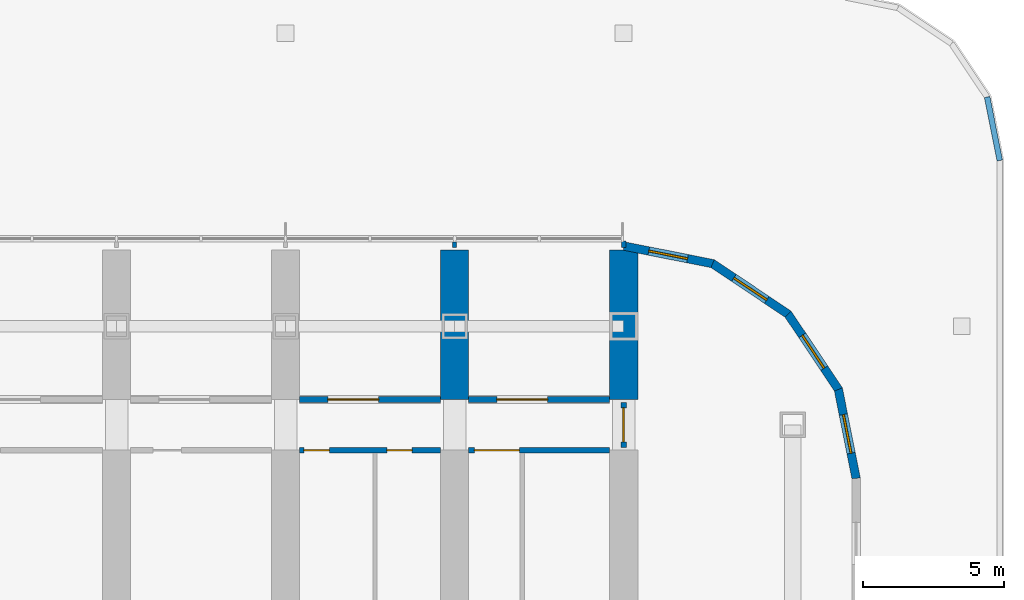
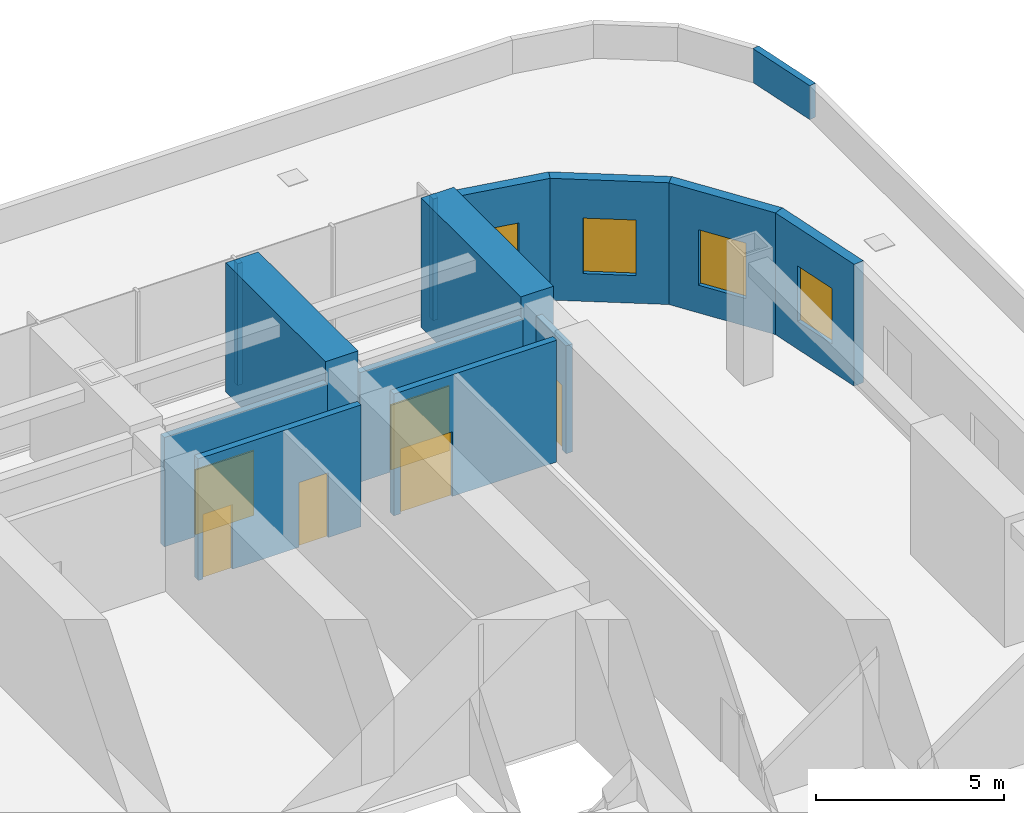
# One storey, part 17 of 23: 14 walls, 6 doors, 4 windows, 10 openings.
"""IFC4 building model written with IfcOpenShell, lengths in metres."""

from ifc_helpers import new_model, si_unit, direction, frame, frame_2d, origin, place, context, subcontext, project, spatial, polyline, rectangle, outline, extrude, material, layer, layer_set, type_object, element, fill, save


model = new_model("IFC4")

# Units and contexts
model_context = context("Model", 3, precision=1e-05, world=origin(), true_north=direction((0.0, 1.0)))
body_context = subcontext(model_context, "Body", "Model", "MODEL_VIEW")
ifc_project = project(units=[si_unit("LENGTHUNIT", "METRE"), si_unit("AREAUNIT", "SQUARE_METRE"), si_unit("VOLUMEUNIT", "CUBIC_METRE"), si_unit("PLANEANGLEUNIT", "RADIAN"), si_unit("MASSUNIT", "GRAM", prefix="KILO")], contexts=[model_context])

# Site, building, storey
site_placement = place(None, origin())
site = spatial("IfcSite", under=ifc_project, at=site_placement, CompositionType="ELEMENT")
building_placement = place(site_placement, origin())
building = spatial("IfcBuilding", under=site, at=building_placement, Name="Orbita Commons", CompositionType="ELEMENT")
storey_placement = place(building_placement, frame((0.0, 0.0, 16.0)))
storey = spatial("IfcBuildingStorey", under=building, at=storey_placement, Name="L03", CompositionType="ELEMENT", Elevation=16.0)

# Wall, opening, door
ifc_material_1 = material(Name="Concrete blockwork", Category="masonry")
ifc_layer_1 = layer(ifc_material_1, 0.199951171875)
ifc_layer_set_1 = layer_set([ifc_layer_1], Name="Concrete blockwork")
wall_type_1 = type_object("IfcWallType", Name="Corridor wall 200 blockwork", PredefinedType="SOLIDWALL", material=ifc_layer_set_1)
wall_1_placement = place(storey_placement, frame((60.5, 51.0, 0.0), z_axis=(0.0, 0.0, 1.0), x_axis=(1.0, 0.0, 0.0)))
wall_1 = element("IfcWall", 1, at=wall_1_placement, inside=storey, type_object=wall_type_1, Name="Corridor wall 200 blockwork L03", PredefinedType="SOLIDWALL", context=body_context, shape_type="SweptSolid", body=[
    extrude(outline(polyline([(0.0, 0.0), (5.0, 0.0), (5.0, 3.550048828125), (0.0, 3.550048828125), (0.0, 0.0)])), frame((0.0, 0.10009765625, 0.0), z_axis=(0.0, -1.0, 0.0), x_axis=(1.0, 0.0, 0.0)), (0.0, 0.0, 1.0), 0.199951171875),
])
opening_1_placement = place(wall_1_placement, frame((1.0, 0.0, 0.0)))
opening_1 = element("IfcOpeningElement", 2, at=opening_1_placement, cuts=wall_1, Name="Opening D07", PredefinedType="OPENING", context=body_context, shape_type="SweptSolid", body=[
    extrude(rectangle(XDim=1.800048828125, YDim=2.10009765625, at=frame_2d((0.89990234375, 1.050048828125))), frame((0.0, 0.10986328125, 0.0), z_axis=(0.0, -1.0, 0.0), x_axis=(1.0, 0.0, 0.0)), (0.0, 0.0, 1.0), 0.219970703125),
])
ifc_material_2 = material(Name="Steel-faced fire door leaf", Category="steel")
door_type_1 = type_object("IfcDoorType", Name="Double corridor door 20 min 1800x2100", OperationType="DOUBLE_DOOR_SINGLE_SWING", PredefinedType="DOOR", material=ifc_material_2)
door_1_placement = place(opening_1_placement, origin())
door_1 = element("IfcDoor", 3, at=door_1_placement, inside=storey, type_object=door_type_1, Name="Library annexe L03-NF8 doors", OperationType="DOUBLE_DOOR_SINGLE_SWING", OverallHeight=2.10009765625, OverallWidth=1.800048828125, PredefinedType="DOOR", context=body_context, shape_type="SweptSolid", body=[
    extrude(rectangle(XDim=1.800048828125, YDim=2.10009765625, at=frame_2d((0.89990234375, 1.050048828125))), frame((0.0, 0.02490234375, 0.0), z_axis=(0.0, -1.0, 0.0), x_axis=(1.0, 0.0, 0.0)), (0.0, 0.0, 1.0), 0.050048828125),
])
fill(opening_1, door_1)

wall_2_placement = place(storey_placement, frame((66.5, 51.0, 0.0), z_axis=(0.0, 0.0, 1.0), x_axis=(1.0, 0.0, 0.0)))
wall_2 = element("IfcWall", 4, at=wall_2_placement, inside=storey, type_object=wall_type_1, Name="Corridor wall 200 blockwork L03", PredefinedType="SOLIDWALL", context=body_context, shape_type="SweptSolid", body=[
    extrude(outline(polyline([(0.0, 0.0), (5.0, 0.0), (5.0, 3.550048828125), (0.0, 3.550048828125), (0.0, 0.0)])), frame((0.0, 0.10009765625, 0.0), z_axis=(0.0, -1.0, 0.0), x_axis=(1.0, 0.0, 0.0)), (0.0, 0.0, 1.0), 0.199951171875),
])
opening_2_placement = place(wall_2_placement, frame((1.0, 0.0, 0.0)))
opening_2 = element("IfcOpeningElement", 5, at=opening_2_placement, cuts=wall_2, Name="Opening D07", PredefinedType="OPENING", context=body_context, shape_type="SweptSolid", body=[
    extrude(rectangle(XDim=1.800048828125, YDim=2.10009765625, at=frame_2d((0.89990234375, 1.050048828125))), frame((0.0, 0.10986328125, 0.0), z_axis=(0.0, -1.0, 0.0), x_axis=(1.0, 0.0, 0.0)), (0.0, 0.0, 1.0), 0.219970703125),
])
door_2_placement = place(opening_2_placement, origin())
door_2 = element("IfcDoor", 6, at=door_2_placement, inside=storey, type_object=door_type_1, Name="Mentoring room L03-NF9 doors", OperationType="DOUBLE_DOOR_SINGLE_SWING", OverallHeight=2.10009765625, OverallWidth=1.800048828125, PredefinedType="DOOR", context=body_context, shape_type="SweptSolid", body=[
    extrude(rectangle(XDim=1.800048828125, YDim=2.10009765625, at=frame_2d((0.89990234375, 1.050048828125))), frame((0.0, 0.02490234375, 0.0), z_axis=(0.0, -1.0, 0.0), x_axis=(1.0, 0.0, 0.0)), (0.0, 0.0, 1.0), 0.050048828125),
])
fill(opening_2, door_2)

wall_3_placement = place(storey_placement, frame((72.0, 49.300048828125, 0.0), z_axis=(0.0, 0.0, 1.0), x_axis=(0.0, 1.0, 0.0)))
wall_3 = element("IfcWall", 7, at=wall_3_placement, inside=storey, type_object=wall_type_1, Name="Corridor wall 200 blockwork L03", PredefinedType="SOLIDWALL", context=body_context, shape_type="SweptSolid", body=[
    extrude(outline(polyline([(0.0, 0.0), (1.599853515625, 0.0), (1.60009765625, 3.5), (0.0, 3.5), (0.0, 0.0)])), frame((0.0, 0.10009765625, 0.0), z_axis=(0.0, -1.0, 0.0), x_axis=(1.0, 0.0, 0.0)), (0.0, 0.0, 1.0), 0.199951171875),
])
opening_3_placement = place(wall_3_placement, frame((0.199951171875, 0.0, 0.0)))
opening_3 = element("IfcOpeningElement", 8, at=opening_3_placement, cuts=wall_3, Name="Opening D12", PredefinedType="OPENING", context=body_context, shape_type="SweptSolid", body=[
    extrude(rectangle(XDim=1.199951171875, YDim=2.10009765625, at=frame_2d((0.60009765625, 1.050048828125))), frame((0.0, 0.10986328125, 0.0), z_axis=(0.0, -1.0, 0.0), x_axis=(1.0, 0.0, 0.0)), (0.0, 0.0, 1.0), 0.219970703125),
])
ifc_material_3 = material(Name="Steel-faced fire door leaf", Category="steel")
door_type_2 = type_object("IfcDoorType", Name="Double corridor door 20 min 1200x2100", OperationType="DOUBLE_DOOR_SINGLE_SWING", PredefinedType="DOOR", material=ifc_material_3)
door_3_placement = place(opening_3_placement, origin())
door_3 = element("IfcDoor", 9, at=door_3_placement, inside=storey, type_object=door_type_2, Name="Lounge doors", OperationType="DOUBLE_DOOR_SINGLE_SWING", OverallHeight=2.10009765625, OverallWidth=1.199951171875, PredefinedType="DOOR", context=body_context, shape_type="SweptSolid", body=[
    extrude(rectangle(XDim=1.199951171875, YDim=2.10009765625, at=frame_2d((0.60009765625, 1.050048828125))), frame((0.0, 0.02490234375, 0.0), z_axis=(0.0, -1.0, 0.0), x_axis=(1.0, 0.0, 0.0)), (0.0, 0.0, 1.0), 0.050048828125),
])
fill(opening_3, door_3)

# Wall, openings, doors
ifc_material_4 = material(Name="Hollow concrete block 200", Category="concrete")
ifc_layer_2 = layer(ifc_material_4, 0.199951171875)
ifc_layer_set_2 = layer_set([ifc_layer_2], Name="Hollow concrete block 200")
wall_type_2 = type_object("IfcWallType", Name="Corridor wall 200 hollow concrete block", PredefinedType="SOLIDWALL", material=ifc_layer_set_2)
wall_4_placement = place(storey_placement, frame((60.5, 49.199951171875, 0.0), z_axis=(0.0, 0.0, 1.0), x_axis=(1.0, 0.0, 0.0)))
wall_4 = element("IfcWall", 10, at=wall_4_placement, inside=storey, type_object=wall_type_2, Name="Corridor wall 200 hollow concrete block L03", PredefinedType="SOLIDWALL", context=body_context, shape_type="SweptSolid", body=[
    extrude(rectangle(XDim=5.0, YDim=0.199951171875, at=frame_2d((2.5, 0.0))), origin(), (0.0, 0.0, 1.0), 3.949951171875),
])
opening_4_placement = place(wall_4_placement, frame((0.14990234375, 0.0, 0.0)))
opening_4 = element("IfcOpeningElement", 11, at=opening_4_placement, cuts=wall_4, Name="Opening D11", PredefinedType="OPENING", context=body_context, shape_type="SweptSolid", body=[
    extrude(rectangle(XDim=0.89990234375, YDim=2.10009765625, at=frame_2d((0.449951171875, 1.050048828125))), frame((0.0, 0.10986328125, 0.0), z_axis=(0.0, -1.0, 0.0), x_axis=(1.0, 0.0, 0.0)), (0.0, 0.0, 1.0), 0.219970703125),
])
opening_5_placement = place(wall_4_placement, frame((3.094970703125, 0.0, 0.0)))
opening_5 = element("IfcOpeningElement", 12, at=opening_5_placement, cuts=wall_4, Name="Opening D11", PredefinedType="OPENING", context=body_context, shape_type="SweptSolid", body=[
    extrude(rectangle(XDim=0.89990234375, YDim=2.10009765625, at=frame_2d((0.449951171875, 1.050048828125))), frame((0.0, 0.10986328125, 0.0), z_axis=(0.0, -1.0, 0.0), x_axis=(1.0, 0.0, 0.0)), (0.0, 0.0, 1.0), 0.219970703125),
])
ifc_material_5 = material(Name="Steel-faced fire door leaf", Category="steel")
door_type_3 = type_object("IfcDoorType", Name="Corridor door 20 min 900x2100", OperationType="SINGLE_SWING_LEFT", PredefinedType="DOOR", material=ifc_material_5)
door_4_placement = place(opening_4_placement, origin())
door_4 = element("IfcDoor", 13, at=door_4_placement, inside=storey, type_object=door_type_3, Name="Cleaners store L03-BDN60 door", OperationType="SINGLE_SWING_LEFT", OverallHeight=2.10009765625, OverallWidth=0.89990234375, PredefinedType="DOOR", context=body_context, shape_type="SweptSolid", body=[
    extrude(rectangle(XDim=0.89990234375, YDim=2.10009765625, at=frame_2d((0.449951171875, 1.050048828125))), frame((0.0, 0.02490234375, 0.0), z_axis=(0.0, -1.0, 0.0), x_axis=(1.0, 0.0, 0.0)), (0.0, 0.0, 1.0), 0.050048828125),
])
fill(opening_4, door_4)
door_5_placement = place(opening_5_placement, origin())
door_5 = element("IfcDoor", 14, at=door_5_placement, inside=storey, type_object=door_type_3, Name="Sprinkler valve room L03-BDN60n door", OperationType="SINGLE_SWING_LEFT", OverallHeight=2.10009765625, OverallWidth=0.89990234375, PredefinedType="DOOR", context=body_context, shape_type="SweptSolid", body=[
    extrude(rectangle(XDim=0.89990234375, YDim=2.10009765625, at=frame_2d((0.449951171875, 1.050048828125))), frame((0.0, 0.02490234375, 0.0), z_axis=(0.0, -1.0, 0.0), x_axis=(1.0, 0.0, 0.0)), (0.0, 0.0, 1.0), 0.050048828125),
])
fill(opening_5, door_5)

# Wall, opening, door
wall_5_placement = place(storey_placement, frame((66.5, 49.199951171875, 0.0), z_axis=(0.0, 0.0, 1.0), x_axis=(1.0, 0.0, 0.0)))
wall_5 = element("IfcWall", 15, at=wall_5_placement, inside=storey, type_object=wall_type_2, Name="Corridor wall 200 hollow concrete block L03", PredefinedType="SOLIDWALL", context=body_context, shape_type="SweptSolid", body=[
    extrude(rectangle(XDim=5.0, YDim=0.199951171875, at=frame_2d((2.5, 0.0))), origin(), (0.0, 0.0, 1.0), 3.949951171875),
])
opening_6_placement = place(wall_5_placement, frame((0.199951171875, 0.0, 0.0)))
opening_6 = element("IfcOpeningElement", 16, at=opening_6_placement, cuts=wall_5, Name="Opening D10", PredefinedType="OPENING", context=body_context, shape_type="SweptSolid", body=[
    extrude(rectangle(XDim=1.60009765625, YDim=2.10009765625, at=frame_2d((0.800048828125, 1.050048828125))), frame((0.0, 0.10986328125, 0.0), z_axis=(0.0, -1.0, 0.0), x_axis=(1.0, 0.0, 0.0)), (0.0, 0.0, 1.0), 0.219970703125),
])
ifc_material_6 = material(Name="Steel-faced fire door leaf", Category="steel")
door_type_4 = type_object("IfcDoorType", Name="Double corridor door 20 min 1600x2100", OperationType="DOUBLE_DOOR_SINGLE_SWING", PredefinedType="DOOR", material=ifc_material_6)
door_6_placement = place(opening_6_placement, origin())
door_6 = element("IfcDoor", 17, at=door_6_placement, inside=storey, type_object=door_type_4, Name="Cross corridor doors", OperationType="DOUBLE_DOOR_SINGLE_SWING", OverallHeight=2.10009765625, OverallWidth=1.60009765625, PredefinedType="DOOR", context=body_context, shape_type="SweptSolid", body=[
    extrude(rectangle(XDim=1.60009765625, YDim=2.10009765625, at=frame_2d((0.800048828125, 1.050048828125))), frame((0.0, 0.02490234375, 0.0), z_axis=(0.0, -1.0, 0.0), x_axis=(1.0, 0.0, 0.0)), (0.0, 0.0, 1.0), 0.050048828125),
])
fill(opening_6, door_6)

# Walls
ifc_material_7 = material(Name="Concrete C50/60", Category="concrete")
ifc_layer_3 = layer(ifc_material_7, 1.0)
ifc_layer_set_3 = layer_set([ifc_layer_3], Name="Concrete C50/60")
wall_type_3 = type_object("IfcWallType", Name="Cross wall 1000 C50/60", PredefinedType="SHEAR", material=ifc_layer_set_3)
for number, where, z_axis, x_axis, name in (
    (18, (66.0, 51.0, 0.0), (0.0, 0.0, 1.0), (0.0, 1.0, 0.0), "Cross wall 12 north outer L03"),
    (19, (72.0, 51.0, 0.0), (0.0, 0.0, 1.0), (0.0, 1.0, 0.0), "Cross wall 13 north outer L03"),
):
    element("IfcWall", number, at=place(storey_placement, frame(where, z_axis=z_axis, x_axis=x_axis)), inside=storey, type_object=wall_type_3, Name=name, PredefinedType="SHEAR", context=body_context, shape_type="SweptSolid", body=[
        extrude(rectangle(XDim=5.300048828125, YDim=1.0, at=frame_2d((2.64990234375, 0.0))), origin(), (0.0, 0.0, 1.0), 4.199951171875),
    ])
ifc_material_8 = material(Name="Gypsum plasterboard on steel studs", Category="steel")
ifc_layer_4 = layer(ifc_material_8, 0.14990234375)
ifc_layer_set_4 = layer_set([ifc_layer_4], Name="Gypsum plasterboard on steel studs")
wall_type_4 = type_object("IfcWallType", Name="Partition 150 plasterboard", PredefinedType="PARTITIONING", material=ifc_layer_set_4)
wall_6_placement = place(storey_placement, frame((66.0, 56.39990234375, 0.0), z_axis=(0.0, 0.0, 1.0), x_axis=(0.0, 1.0, 0.0)))
element("IfcWall", 20, at=wall_6_placement, inside=storey, type_object=wall_type_4, Name="Partition 150 plasterboard L03", PredefinedType="PARTITIONING", context=body_context, shape_type="SweptSolid", body=[
    extrude(rectangle(XDim=0.190185546875, YDim=0.14990234375, at=frame_2d((0.09521484375, 0.0))), origin(), (0.0, 0.0, 1.0), 3.949951171875),
])
wall_7_placement = place(storey_placement, frame((72.0, 56.39990234375, 0.0), z_axis=(0.0, 0.0, 1.0), x_axis=(0.0, 1.0, 0.0)))
element("IfcWall", 21, at=wall_7_placement, inside=storey, type_object=wall_type_4, Name="Partition 150 plasterboard L03", PredefinedType="PARTITIONING", context=body_context, shape_type="SweptSolid", body=[
    extrude(rectangle(XDim=0.22021484375, YDim=0.14990234375, at=frame_2d((0.110107421875, 0.0))), origin(), (0.0, 0.0, 1.0), 3.949951171875),
])

# Wall, opening, window
ifc_material_9 = material(Name="Precast concrete C40/50, white board-marked finish", Category="concrete")
ifc_layer_5 = layer(ifc_material_9, 0.300048828125)
ifc_layer_set_5 = layer_set([ifc_layer_5], Name="Precast concrete C40/50, white board-marked finish")
wall_type_5 = type_object("IfcWallType", Name="Precast concrete end shield 300", PredefinedType="SOLIDWALL", material=ifc_layer_set_5)
wall_8_placement = place(storey_placement, frame((80.25, 48.199951171875, 0.0), z_axis=(0.0, 0.0, 1.0), x_axis=(-0.195065901187, 0.980790137692, 0.0)))
wall_8 = element("IfcWall", 22, at=wall_8_placement, inside=storey, type_object=wall_type_5, Name="End shield NE chord 1 L03", PredefinedType="SOLIDWALL", context=body_context, shape_type="SweptSolid", body=[
    extrude(outline(polyline([(-0.014892578125, -0.14990234375), (3.248779296875, -0.14990234375), (3.189208984375, 0.14990234375), (0.014892578125, 0.14990234375), (-0.014892578125, -0.14990234375)])), origin(), (0.0, 0.0, 1.0), 3.949951171875),
])
opening_7_placement = place(wall_8_placement, frame((0.909423828125, 0.0, 0.89990234375)))
opening_7 = element("IfcOpeningElement", 23, at=opening_7_placement, cuts=wall_8, Name="Opening W02", PredefinedType="OPENING", context=body_context, shape_type="SweptSolid", body=[
    extrude(rectangle(XDim=1.39990234375, YDim=1.800048828125, at=frame_2d((0.699951171875, 0.89990234375))), frame((0.0, 0.159912109375, 0.0), z_axis=(0.0, -1.0, 0.0), x_axis=(1.0, 0.0, 0.0)), (0.0, 0.0, 1.0), 0.320068359375),
])
ifc_material_10 = material(Name="Aluminium frame, clear double glazing", Category="aluminium")
window_type = type_object("IfcWindowType", Name="Deep-set window 1400x1800", PartitioningType="SINGLE_PANEL", PredefinedType="WINDOW", material=ifc_material_10)
window_1_placement = place(opening_7_placement, origin())
window_1 = element("IfcWindow", 24, at=window_1_placement, inside=storey, type_object=window_type, Name="Window L03-NE0", OverallHeight=1.800048828125, OverallWidth=1.39990234375, PartitioningType="SINGLE_PANEL", PredefinedType="WINDOW", context=body_context, shape_type="SweptSolid", body=[
    extrude(rectangle(XDim=1.39990234375, YDim=1.800048828125, at=frame_2d((0.699951171875, 0.89990234375))), frame((0.0, 0.030029296875, 0.0), z_axis=(0.0, -1.0, 0.0), x_axis=(1.0, 0.0, 0.0)), (0.0, 0.0, 1.0), 0.06005859375),
])
fill(opening_7, window_1)

wall_9_placement = place(storey_placement, frame((79.6220703125, 51.357177734375, 0.0), z_axis=(0.0, 0.0, 1.0), x_axis=(-0.555609954424, 0.831443069936, 0.0)))
wall_9 = element("IfcWall", 25, at=wall_9_placement, inside=storey, type_object=wall_type_5, Name="End shield NE chord 2 L03", PredefinedType="SOLIDWALL", context=body_context, shape_type="SweptSolid", body=[
    extrude(outline(polyline([(-0.02978515625, -0.14990234375), (3.2490234375, -0.14990234375), (3.189453125, 0.14990234375), (0.02978515625, 0.14990234375), (-0.02978515625, -0.14990234375)])), origin(), (0.0, 0.0, 1.0), 3.949951171875),
])
opening_8_placement = place(wall_9_placement, frame((0.909423828125, 0.0, 0.89990234375)))
opening_8 = element("IfcOpeningElement", 26, at=opening_8_placement, cuts=wall_9, Name="Opening W02", PredefinedType="OPENING", context=body_context, shape_type="SweptSolid", body=[
    extrude(rectangle(XDim=1.39990234375, YDim=1.800048828125, at=frame_2d((0.699951171875, 0.89990234375))), frame((0.0, 0.159912109375, 0.0), z_axis=(0.0, -1.0, 0.0), x_axis=(1.0, 0.0, 0.0)), (0.0, 0.0, 1.0), 0.320068359375),
])
window_2_placement = place(opening_8_placement, origin())
window_2 = element("IfcWindow", 27, at=window_2_placement, inside=storey, type_object=window_type, Name="Window L03-NE1", OverallHeight=1.800048828125, OverallWidth=1.39990234375, PartitioningType="SINGLE_PANEL", PredefinedType="WINDOW", context=body_context, shape_type="SweptSolid", body=[
    extrude(rectangle(XDim=1.39990234375, YDim=1.800048828125, at=frame_2d((0.699951171875, 0.89990234375))), frame((0.0, 0.030029296875, 0.0), z_axis=(0.0, -1.0, 0.0), x_axis=(1.0, 0.0, 0.0)), (0.0, 0.0, 1.0), 0.06005859375),
])
fill(opening_8, window_2)

wall_10_placement = place(storey_placement, frame((77.83349609375, 54.03369140625, 0.0), z_axis=(0.0, 0.0, 1.0), x_axis=(-0.831478105043, 0.555557522525, 0.0)))
wall_10 = element("IfcWall", 28, at=wall_10_placement, inside=storey, type_object=wall_type_5, Name="End shield NE chord 3 L03", PredefinedType="SOLIDWALL", context=body_context, shape_type="SweptSolid", body=[
    extrude(outline(polyline([(-0.02978515625, -0.14990234375), (3.248779296875, -0.14990234375), (3.189208984375, 0.14990234375), (0.02978515625, 0.14990234375), (-0.02978515625, -0.14990234375)])), origin(), (0.0, 0.0, 1.0), 3.949951171875),
])
opening_9_placement = place(wall_10_placement, frame((0.909423828125, 0.0, 0.89990234375)))
opening_9 = element("IfcOpeningElement", 29, at=opening_9_placement, cuts=wall_10, Name="Opening W02", PredefinedType="OPENING", context=body_context, shape_type="SweptSolid", body=[
    extrude(rectangle(XDim=1.39990234375, YDim=1.800048828125, at=frame_2d((0.699951171875, 0.89990234375))), frame((0.0, 0.159912109375, 0.0), z_axis=(0.0, -1.0, 0.0), x_axis=(1.0, 0.0, 0.0)), (0.0, 0.0, 1.0), 0.320068359375),
])
window_3_placement = place(opening_9_placement, origin())
window_3 = element("IfcWindow", 30, at=window_3_placement, inside=storey, type_object=window_type, Name="Window L03-NE2", OverallHeight=1.800048828125, OverallWidth=1.39990234375, PartitioningType="SINGLE_PANEL", PredefinedType="WINDOW", context=body_context, shape_type="SweptSolid", body=[
    extrude(rectangle(XDim=1.39990234375, YDim=1.800048828125, at=frame_2d((0.699951171875, 0.89990234375))), frame((0.0, 0.030029296875, 0.0), z_axis=(0.0, -1.0, 0.0), x_axis=(1.0, 0.0, 0.0)), (0.0, 0.0, 1.0), 0.06005859375),
])
fill(opening_9, window_3)

wall_11_placement = place(storey_placement, frame((75.156982421875, 55.822021484375, 0.0), z_axis=(0.0, 0.0, 1.0), x_axis=(-0.980787251524, 0.195080412259, 0.0)))
wall_11 = element("IfcWall", 31, at=wall_11_placement, inside=storey, type_object=wall_type_5, Name="End shield NE chord 4 L03", PredefinedType="SOLIDWALL", context=body_context, shape_type="SweptSolid", body=[
    extrude(outline(polyline([(-0.02978515625, -0.14990234375), (3.24853515625, -0.14990234375), (3.18896484375, 0.14990234375), (0.02978515625, 0.14990234375), (-0.02978515625, -0.14990234375)])), origin(), (0.0, 0.0, 1.0), 3.949951171875),
])
opening_10_placement = place(wall_11_placement, frame((0.909423828125, 0.0, 0.89990234375)))
opening_10 = element("IfcOpeningElement", 32, at=opening_10_placement, cuts=wall_11, Name="Opening W02", PredefinedType="OPENING", context=body_context, shape_type="SweptSolid", body=[
    extrude(rectangle(XDim=1.39990234375, YDim=1.800048828125, at=frame_2d((0.699951171875, 0.89990234375))), frame((0.0, 0.159912109375, 0.0), z_axis=(0.0, -1.0, 0.0), x_axis=(1.0, 0.0, 0.0)), (0.0, 0.0, 1.0), 0.320068359375),
])
window_4_placement = place(opening_10_placement, origin())
window_4 = element("IfcWindow", 33, at=window_4_placement, inside=storey, type_object=window_type, Name="Window L03-NE3", OverallHeight=1.800048828125, OverallWidth=1.39990234375, PartitioningType="SINGLE_PANEL", PredefinedType="WINDOW", context=body_context, shape_type="SweptSolid", body=[
    extrude(rectangle(XDim=1.39990234375, YDim=1.800048828125, at=frame_2d((0.699951171875, 0.89990234375))), frame((0.0, 0.030029296875, 0.0), z_axis=(0.0, -1.0, 0.0), x_axis=(1.0, 0.0, 0.0)), (0.0, 0.0, 1.0), 0.06005859375),
])
fill(opening_10, window_4)

# Wall
ifc_material_11 = material(Name="Precast concrete C40/50, white board-marked finish", Category="concrete")
ifc_layer_6 = layer(ifc_material_11, 0.199951171875)
ifc_layer_set_6 = layer_set([ifc_layer_6], Name="Precast concrete C40/50, white board-marked finish")
wall_type_6 = type_object("IfcWallType", Name="Precast parapet 200", PredefinedType="PARAPET", material=ifc_layer_set_6)
wall_12_placement = place(storey_placement, frame((84.902099609375, 61.737548828125, 0.0), z_axis=(0.0, 0.0, 1.0), x_axis=(0.195073397651, -0.980788646717, 0.0)))
element("IfcWall", 34, at=wall_12_placement, inside=storey, type_object=wall_type_6, Name="Parapet L03 1.14", PredefinedType="PARAPET", context=body_context, shape_type="SweptSolid", body=[
    extrude(rectangle(XDim=2.296630859375, YDim=0.199951171875, at=frame_2d((1.1484375, 0.0))), origin(), (0.0, 0.0, 1.0), 1.10009765625),
])

save(model, "model.ifc")
